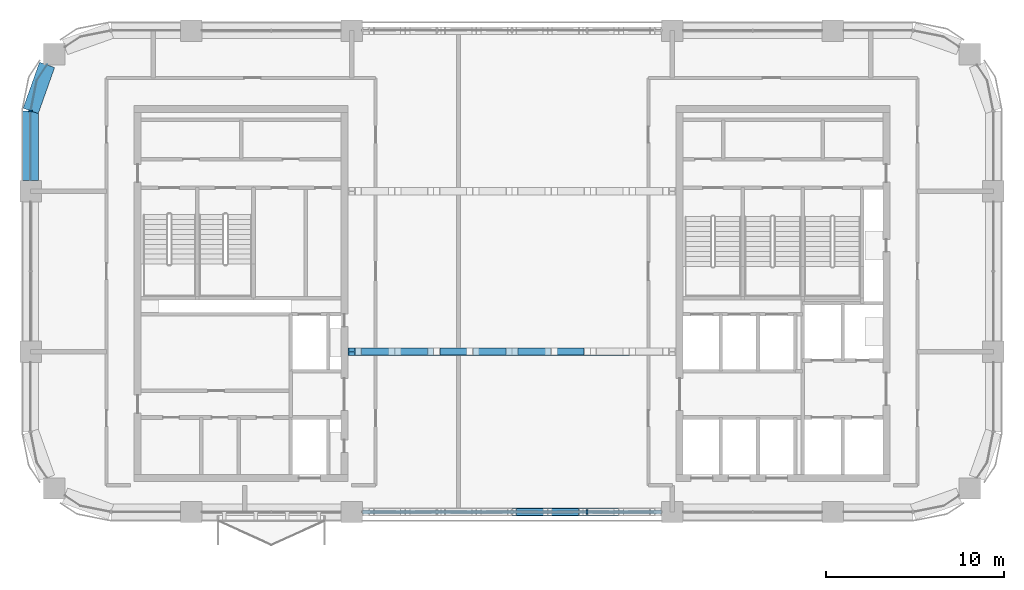
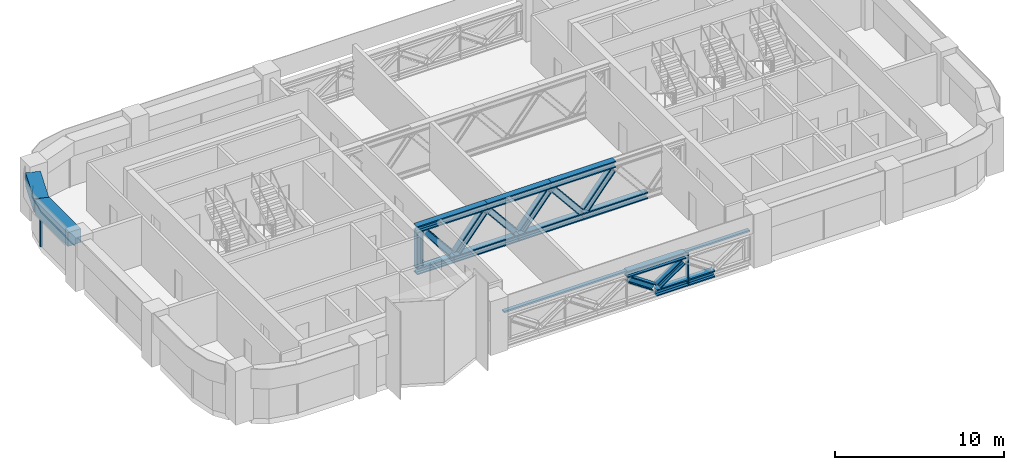
# One storey, part 3 of 14: 22 members, 2 beams, 2 elements without a shape of their own.
"""IFC4 building model written with IfcOpenShell, lengths in metres."""

from ifc_helpers import new_model, si_unit, direction, frame, origin, origin_2d, place, context, subcontext, project, spatial, polyline, rectangle, i_section, outline, extrude, material, material_profile, profile_set, type_object, element, aggregate, save


model = new_model("IFC4")

# Units and contexts
model_context = context("Model", 3, precision=1e-05, world=origin(), true_north=direction((0.0, 1.0)))
body_context = subcontext(model_context, "Body", "Model", "MODEL_VIEW")
ifc_project = project(units=[si_unit("LENGTHUNIT", "METRE"), si_unit("AREAUNIT", "SQUARE_METRE"), si_unit("VOLUMEUNIT", "CUBIC_METRE"), si_unit("PLANEANGLEUNIT", "RADIAN"), si_unit("MASSUNIT", "GRAM", prefix="KILO")], contexts=[model_context])

# Site, building, storey
site_placement = place(None, origin())
site = spatial("IfcSite", under=ifc_project, at=site_placement, CompositionType="ELEMENT")
building_placement = place(site_placement, origin())
building = spatial("IfcBuilding", under=site, at=building_placement, Name="Tessera Arch", CompositionType="ELEMENT")
storey_placement = place(building_placement, frame((0.0, 0.0, 226.699951171875)))
storey = spatial("IfcBuildingStorey", under=building, at=storey_placement, Name="L54", CompositionType="ELEMENT", Elevation=226.699951171875)

# Curtain wall, members
ifc_material_1 = material(Name="CW2 curtain wall")
curtain_wall_type_1 = type_object("IfcCurtainWallType", Name="CW2 curtain wall", PredefinedType="NOTDEFINED", material=ifc_material_1)
curtain_wall_1_placement = place(storey_placement, origin())
curtain_wall_1 = element("IfcCurtainWall", 1, at=curtain_wall_1_placement, inside=storey, type_object=curtain_wall_type_1, Name="CW2 curtain wall W0.27/0 L54", PredefinedType="NOTDEFINED")
ifc_material_2 = material(Name="Anodised aluminium pale metal", Category="aluminium")
ifc_material_profile_1 = material_profile(ifc_material_2, rectangle(XDim=0.199951171875, YDim=0.080078125, at=origin_2d()), Name="AL 80x200")
ifc_profile_set_1 = profile_set([ifc_material_profile_1], Name="Anodised aluminium pale metal")
member_type_1 = type_object("IfcMemberType", Name="CW2 mullion", PredefinedType="MULLION", material=ifc_profile_set_1)
member_1_placement = place(storey_placement, frame((0.0, 49.5, 0.0), z_axis=(0.0, 0.0, 1.0), x_axis=(1.0, 0.0, 0.0)))
member_1 = element("IfcMember", 2, at=member_1_placement, type_object=member_type_1, Name="CW2 mullion W0.27/0 1", PredefinedType="MULLION", context=body_context, shape_type="SweptSolid", body=[
    extrude(rectangle(XDim=0.199951171875, YDim=0.080078125, at=origin_2d()), origin(), (0.0, 0.0, 1.0), 2.400146484375),
])
ifc_material_3 = material(Name="Anodised aluminium pale metal", Category="aluminium")
ifc_material_profile_2 = material_profile(ifc_material_3, rectangle(XDim=0.199951171875, YDim=0.10009765625, at=origin_2d()), Name="AL 200x100")
ifc_profile_set_2 = profile_set([ifc_material_profile_2], Name="Anodised aluminium pale metal")
member_type_2 = type_object("IfcMemberType", Name="CW2 transom", PredefinedType="USERDEFINED", material=ifc_profile_set_2)
member_2_placement = place(storey_placement, frame((0.0, 0.0, 2.400146484375)))
member_2 = element("IfcMember", 3, at=member_2_placement, type_object=member_type_2, Name="CW2 transom W0.27/0 1", ObjectType="TRANSOM", PredefinedType="USERDEFINED", context=body_context, shape_type="SweptSolid", body=[
    extrude(outline(polyline([(0.351806640625, 51.21826171875), (0.92529296875, 52.076416015625), (0.90869140625, 52.087646484375), (0.3330078125, 51.22607421875), (-0.010009765625, 49.5009765625), (-0.010009765625, 45.60009765625), (0.010009765625, 45.60009765625), (0.010009765625, 49.4990234375), (0.351806640625, 51.21826171875)])), origin(), (0.0, 0.0, 1.0), 0.099853515625),
])
aggregate(curtain_wall_1, [member_1, member_2])

ifc_material_4 = material(Name="CW4 curtain wall")
curtain_wall_type_2 = type_object("IfcCurtainWallType", Name="CW4 curtain wall", PredefinedType="NOTDEFINED", material=ifc_material_4)
curtain_wall_2_placement = place(storey_placement, origin())
curtain_wall_2 = element("IfcCurtainWall", 4, at=curtain_wall_2_placement, inside=storey, type_object=curtain_wall_type_2, Name="CW4 curtain wall S27.0/2 L54", PredefinedType="NOTDEFINED")
ifc_material_5 = material(Name="Anodised aluminium pale metal", Category="aluminium")
ifc_material_profile_3 = material_profile(ifc_material_5, rectangle(XDim=0.25, YDim=0.080078125, at=origin_2d()), Name="AL 80x250")
ifc_profile_set_3 = profile_set([ifc_material_profile_3], Name="Anodised aluminium pale metal")
member_type_3 = type_object("IfcMemberType", Name="CW4 mullion", PredefinedType="MULLION", material=ifc_profile_set_3)
member_3_placement = place(storey_placement, frame((31.199951171875, 27.0, 0.0), z_axis=(0.0, 0.0, 1.0), x_axis=(0.0, 1.0, 0.0)))
member_3 = element("IfcMember", 5, at=member_3_placement, type_object=member_type_3, Name="CW4 mullion S27.0/2 3", PredefinedType="MULLION", context=body_context, shape_type="SweptSolid", body=[
    extrude(rectangle(XDim=0.25, YDim=0.080078125, at=origin_2d()), origin(), (0.0, 0.0, 1.0), 2.380126953125),
])
ifc_material_6 = material(Name="Anodised aluminium pale metal", Category="aluminium")
ifc_material_profile_4 = material_profile(ifc_material_6, rectangle(XDim=0.25, YDim=0.1201171875, at=origin_2d()), Name="AL 250x120")
ifc_profile_set_4 = profile_set([ifc_material_profile_4], Name="Anodised aluminium pale metal")
member_type_4 = type_object("IfcMemberType", Name="CW4 transom", PredefinedType="USERDEFINED", material=ifc_profile_set_4)
member_4_placement = place(storey_placement, frame((18.60009765625, 27.0, 2.43994140625), z_axis=(1.0, 0.0, 0.0), x_axis=(0.0, 1.0, 0.0)))
member_4 = element("IfcMember", 6, at=member_4_placement, type_object=member_type_4, Name="CW4 transom S27.0/2 1.1", ObjectType="TRANSOM", PredefinedType="USERDEFINED", context=body_context, shape_type="SweptSolid", body=[
    extrude(rectangle(XDim=0.25, YDim=0.1201171875, at=origin_2d()), origin(), (0.0, 0.0, 1.0), 16.7998046875),
])
aggregate(curtain_wall_2, [member_3, member_4])

# Beams
ifc_material_7 = material(Name="Concrete C60/75", Category="concrete")
ifc_material_profile_5 = material_profile(ifc_material_7, rectangle(XDim=0.89990234375, YDim=1.0, at=origin_2d()), Name="RC spandrel beam 900 x 1000 Concrete C60/75")
ifc_profile_set_5 = profile_set([ifc_material_profile_5], Name="Concrete C60/75")
beam_type = type_object("IfcBeamType", Name="RC spandrel beam 900 x 1000 Concrete C60/75", PredefinedType="BEAM", material=ifc_profile_set_5)
beam_1_placement = place(storey_placement, frame((0.9169921875, 52.08203125, 3.0), z_axis=(-0.334665114373, -0.942337127159, 0.0), x_axis=(0.942337127159, -0.334665114373, 0.0)))
element("IfcBeam", 7, at=beam_1_placement, inside=storey, type_object=beam_type, Name="Spandrel beam L54 W0.27/0.1", PredefinedType="BEAM", context=body_context, shape_type="SweptSolid", body=[
    extrude(rectangle(XDim=0.89990234375, YDim=1.0, at=origin_2d()), origin(), (0.0, 0.0, 1.0), 2.739990234375),
])
beam_2_placement = place(storey_placement, frame((0.0, 49.5, 3.0), z_axis=(0.0, -1.0, 0.0), x_axis=(1.0, 0.0, 0.0)))
element("IfcBeam", 8, at=beam_2_placement, inside=storey, type_object=beam_type, Name="Spandrel beam L54 W0.27/0.2", PredefinedType="BEAM", context=body_context, shape_type="SweptSolid", body=[
    extrude(rectangle(XDim=0.89990234375, YDim=1.0, at=origin_2d()), origin(), (0.0, 0.0, 1.0), 3.89990234375),
])

# Members
ifc_material_8 = material(Name="Steel A992 Gr50", Category="steel")
ifc_material_profile_6 = material_profile(ifc_material_8, i_section(OverallWidth=0.424072265625, OverallDepth=0.47412109375, WebThickness=0.047607421875, FlangeThickness=0.0771484375, at=origin_2d()), Name="W14x426")
ifc_profile_set_6 = profile_set([ifc_material_profile_6], Name="Steel A992 Gr50")
member_type_5 = type_object("IfcMemberType", Name="Truss chord W14x426", PredefinedType="CHORD", material=ifc_profile_set_6)
for number, where, z_axis, x_axis, name in (
    (9, (27.0, 27.0, 2.262939453125), (1.0, 0.0, 0.0), (0.0, 1.0, 0.0), "Bridge truss top chord 3"),
    (10, (28.995849609375, 27.0, 0.237060546875), (1.0, 0.0, 0.0), (0.0, 1.0, 0.0), "Bridge truss bottom chord 4"),
):
    element("IfcMember", number, at=place(storey_placement, frame(where, z_axis=z_axis, x_axis=x_axis)), inside=storey, type_object=member_type_5, Name=name, PredefinedType="CHORD", context=body_context, shape_type="SweptSolid", body=[
        extrude(i_section(OverallWidth=0.424072265625, OverallDepth=0.47412109375, WebThickness=0.047607421875, FlangeThickness=0.0771484375, at=origin_2d()), origin(), (0.0, 0.0, 1.0), 3.99169921875),
    ])
member_5_placement = place(storey_placement, frame((17.800048828125, 36.0, 3.262939453125), z_axis=(1.0, 0.0, 0.0), x_axis=(0.0, 1.0, 0.0)))
element("IfcMember", 11, at=member_5_placement, inside=storey, type_object=member_type_5, Name="Bridge truss top chord 1", PredefinedType="CHORD", context=body_context, shape_type="SweptSolid", body=[
    extrude(i_section(OverallWidth=0.424072265625, OverallDepth=0.47412109375, WebThickness=0.047607421875, FlangeThickness=0.0771484375, at=origin_2d()), origin(), (0.0, 0.0, 1.0), 4.808349609375),
])
for number, where, z_axis, x_axis, name in (
    (12, (22.6083984375, 36.0, 3.262939453125), (1.0, 0.0, 0.0), (0.0, 1.0, 0.0), "Bridge truss top chord 2"),
    (13, (27.0, 36.0, 3.262939453125), (1.0, 0.0, 0.0), (0.0, 1.0, 0.0), "Bridge truss top chord 3"),
):
    element("IfcMember", number, at=place(storey_placement, frame(where, z_axis=z_axis, x_axis=x_axis)), inside=storey, type_object=member_type_5, Name=name, PredefinedType="CHORD", context=body_context, shape_type="SweptSolid", body=[
        extrude(i_section(OverallWidth=0.424072265625, OverallDepth=0.47412109375, WebThickness=0.047607421875, FlangeThickness=0.0771484375, at=origin_2d()), origin(), (0.0, 0.0, 1.0), 4.3916015625),
    ])
member_6_placement = place(storey_placement, frame((17.800048828125, 36.0, 0.237060546875), z_axis=(1.0, 0.0, 0.0), x_axis=(0.0, 1.0, 0.0)))
element("IfcMember", 14, at=member_6_placement, inside=storey, type_object=member_type_5, Name="Bridge truss bottom chord 1", PredefinedType="CHORD", context=body_context, shape_type="SweptSolid", body=[
    extrude(i_section(OverallWidth=0.424072265625, OverallDepth=0.47412109375, WebThickness=0.047607421875, FlangeThickness=0.0771484375, at=origin_2d()), origin(), (0.0, 0.0, 1.0), 2.6123046875),
])
member_7_placement = place(storey_placement, frame((20.412353515625, 36.0, 0.237060546875), z_axis=(1.0, 0.0, 0.0), x_axis=(0.0, 1.0, 0.0)))
element("IfcMember", 15, at=member_7_placement, inside=storey, type_object=member_type_5, Name="Bridge truss bottom chord 2", PredefinedType="CHORD", context=body_context, shape_type="SweptSolid", body=[
    extrude(i_section(OverallWidth=0.424072265625, OverallDepth=0.47412109375, WebThickness=0.047607421875, FlangeThickness=0.0771484375, at=origin_2d()), origin(), (0.0, 0.0, 1.0), 4.391845703125),
])
member_8_placement = place(storey_placement, frame((24.80419921875, 36.0, 0.237060546875), z_axis=(1.0, 0.0, 0.0), x_axis=(0.0, 1.0, 0.0)))
element("IfcMember", 16, at=member_8_placement, inside=storey, type_object=member_type_5, Name="Bridge truss bottom chord 3", PredefinedType="CHORD", context=body_context, shape_type="SweptSolid", body=[
    extrude(i_section(OverallWidth=0.424072265625, OverallDepth=0.47412109375, WebThickness=0.047607421875, FlangeThickness=0.0771484375, at=origin_2d()), origin(), (0.0, 0.0, 1.0), 4.3916015625),
])
member_9_placement = place(storey_placement, frame((29.19580078125, 36.0, 0.237060546875), z_axis=(1.0, 0.0, 0.0), x_axis=(0.0, 1.0, 0.0)))
element("IfcMember", 17, at=member_9_placement, inside=storey, type_object=member_type_5, Name="Bridge truss bottom chord 4", PredefinedType="CHORD", context=body_context, shape_type="SweptSolid", body=[
    extrude(i_section(OverallWidth=0.424072265625, OverallDepth=0.47412109375, WebThickness=0.047607421875, FlangeThickness=0.0771484375, at=origin_2d()), origin(), (0.0, 0.0, 1.0), 4.391845703125),
])
ifc_material_9 = material(Name="Steel A992 Gr50", Category="steel")
ifc_material_profile_7 = material_profile(ifc_material_9, i_section(OverallWidth=0.411376953125, OverallDepth=0.434326171875, WebThickness=0.035888671875, FlangeThickness=0.057373046875, at=origin_2d()), Name="W14x311")
ifc_profile_set_7 = profile_set([ifc_material_profile_7], Name="Steel A992 Gr50")
member_type_6 = type_object("IfcMemberType", Name="Truss diagonal W14x311", PredefinedType="BRACE", material=ifc_profile_set_7)
for number, where, z_axis, x_axis, name in (
    (18, (27.13720703125, 27.0, 1.836181640625), (0.826527305471, 0.0, -0.562896627553), (0.0, 1.0, 0.0), "Bridge truss diagonal 5"),
    (19, (29.133056640625, 27.0, 0.663818359375), (0.826527305471, 0.0, 0.562896627553), (0.0, 1.0, 0.0), "Bridge truss diagonal 6"),
):
    element("IfcMember", number, at=place(storey_placement, frame(where, z_axis=z_axis, x_axis=x_axis)), inside=storey, type_object=member_type_6, Name=name, PredefinedType="BRACE", context=body_context, shape_type="SweptSolid", body=[
        extrude(i_section(OverallWidth=0.411376953125, OverallDepth=0.434326171875, WebThickness=0.035888671875, FlangeThickness=0.057373046875, at=origin_2d()), origin(), (0.0, 0.0, 1.0), 2.082763671875),
    ])
for number, where, z_axis, x_axis, name in (
    (20, (18.396240234375, 36.0, 2.87451171875), (0.632527845623, 0.0, -0.774537619817), (0.0, 1.0, 0.0), "Bridge truss diagonal 1"),
    (21, (20.592041015625, 36.0, 0.62548828125), (0.632527845623, 0.0, 0.774537619817), (0.0, 1.0, 0.0), "Bridge truss diagonal 2"),
    (22, (22.787841796875, 36.0, 2.87451171875), (0.632527845623, 0.0, -0.774537619817), (0.0, 1.0, 0.0), "Bridge truss diagonal 3"),
    (23, (24.983642578125, 36.0, 0.62548828125), (0.632527845623, 0.0, 0.774537619817), (0.0, 1.0, 0.0), "Bridge truss diagonal 4"),
    (24, (27.1796875, 36.0, 2.87451171875), (0.632527845623, 0.0, -0.774537619817), (0.0, 1.0, 0.0), "Bridge truss diagonal 5"),
    (25, (29.37548828125, 36.0, 0.62548828125), (0.632527845623, 0.0, 0.774537619817), (0.0, 1.0, 0.0), "Bridge truss diagonal 6"),
):
    element("IfcMember", number, at=place(storey_placement, frame(where, z_axis=z_axis, x_axis=x_axis)), inside=storey, type_object=member_type_6, Name=name, PredefinedType="BRACE", context=body_context, shape_type="SweptSolid", body=[
        extrude(i_section(OverallWidth=0.411376953125, OverallDepth=0.434326171875, WebThickness=0.035888671875, FlangeThickness=0.057373046875, at=origin_2d()), origin(), (0.0, 0.0, 1.0), 2.90380859375),
    ])
ifc_material_10 = material(Name="Steel A992 Gr50", Category="steel")
ifc_material_profile_8 = material_profile(ifc_material_10, i_section(OverallWidth=0.406494140625, OverallDepth=0.41650390625, WebThickness=0.030029296875, FlangeThickness=0.048095703125, at=origin_2d()), Name="W14x257")
ifc_profile_set_8 = profile_set([ifc_material_profile_8], Name="Steel A992 Gr50")
member_type_7 = type_object("IfcMemberType", Name="Truss post W14x257", PredefinedType="POST", material=ifc_profile_set_8)
member_10_placement = place(storey_placement, frame((18.00830078125, 36.0, 0.474365234375), z_axis=(0.0, 0.0, 1.0), x_axis=(0.0, 1.0, 0.0)))
element("IfcMember", 26, at=member_10_placement, inside=storey, type_object=member_type_7, Name="Bridge truss end post 1", PredefinedType="POST", context=body_context, shape_type="SweptSolid", body=[
    extrude(i_section(OverallWidth=0.406494140625, OverallDepth=0.41650390625, WebThickness=0.030029296875, FlangeThickness=0.048095703125, at=origin_2d()), origin(), (0.0, 0.0, 1.0), 2.551513671875),
])

save(model, "model.ifc")
